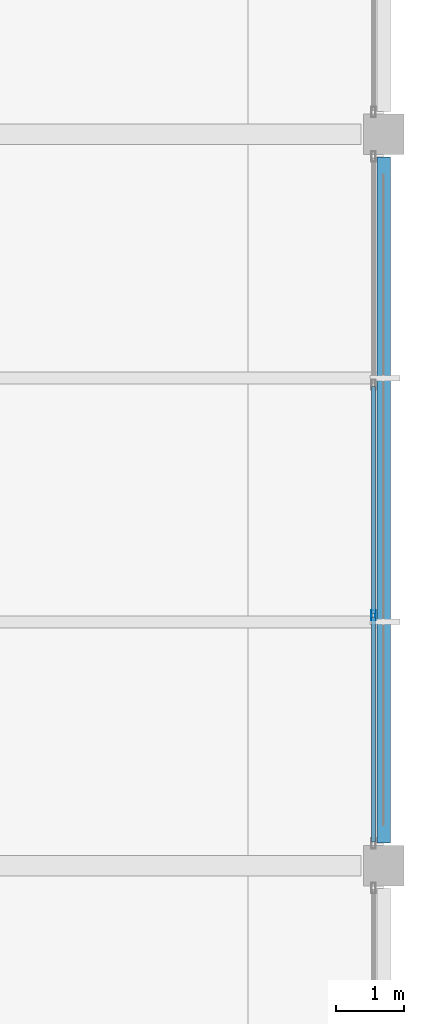
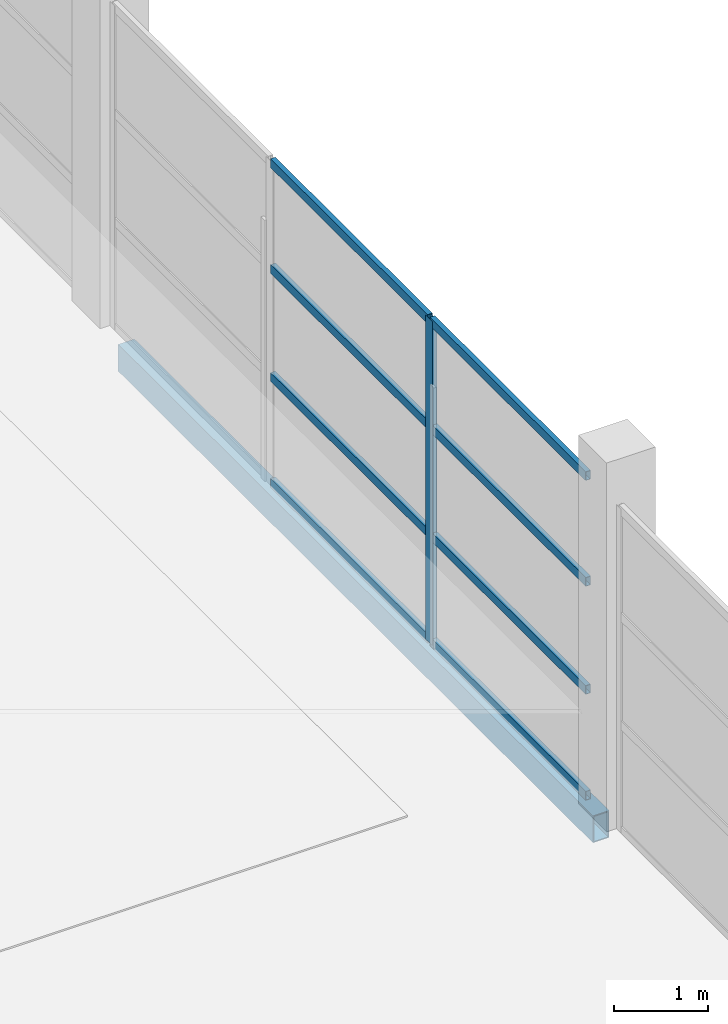
# One storey, part 99 of 134: 9 members, 1 beam, 1 element without a shape of its own.
"""IFC4 building model written with IfcOpenShell, lengths in metres."""

from ifc_helpers import new_model, si_unit, direction, frame, origin, origin_2d, place, context, subcontext, project, spatial, hollow_rectangle, extrude, material, layer, layer_set, material_profile, profile_set, type_object, element, aggregate, save


model = new_model("IFC4")

# Units and contexts
model_context = context("Model", 3, precision=1e-05, world=origin(), true_north=direction((0.0, 1.0)))
body_context = subcontext(model_context, "Body", "Model", "MODEL_VIEW")
ifc_project = project(units=[si_unit("LENGTHUNIT", "METRE"), si_unit("AREAUNIT", "SQUARE_METRE"), si_unit("VOLUMEUNIT", "CUBIC_METRE"), si_unit("PLANEANGLEUNIT", "RADIAN"), si_unit("MASSUNIT", "GRAM", prefix="KILO")], contexts=[model_context])

# Site, building, storey
site_placement = place(None, origin())
site = spatial("IfcSite", under=ifc_project, at=site_placement, CompositionType="ELEMENT")
building_placement = place(site_placement, origin())
building = spatial("IfcBuilding", under=site, at=building_placement, Name="Tamarisk Ironworks Central Station", CompositionType="ELEMENT")
storey_placement = place(building_placement, frame((0.0, 0.0, 12.60009765625)))
storey = spatial("IfcBuildingStorey", under=building, at=storey_placement, Name="L02", CompositionType="ELEMENT", Elevation=12.60009765625)

# Beam
ifc_material_1 = material(Name="Structural steel S355J2", Category="steel")
ifc_material_profile_1 = material_profile(ifc_material_1, hollow_rectangle(XDim=0.199951171875, YDim=0.35009765625, WallThickness=0.012451171875, at=origin_2d()), Name="RHS 350x200x12.5")
ifc_profile_set_1 = profile_set([ifc_material_profile_1], Name="Structural steel S355J2")
beam_type = type_object("IfcBeamType", Name="BM-SP01", PredefinedType="SPANDREL", material=ifc_profile_set_1)
beam_placement = place(storey_placement, frame((180.0, 90.337890625, -0.425048828125), z_axis=(0.0, 1.0, 0.0), x_axis=(-1.0, 0.0, 0.0)))
element("IfcBeam", 1, at=beam_placement, inside=storey, type_object=beam_type, Name="L02 primary girder Y-0537", PredefinedType="SPANDREL", context=body_context, shape_type="SweptSolid", body=[
    extrude(hollow_rectangle(XDim=0.199951171875, YDim=0.35009765625, WallThickness=0.012451171875, at=origin_2d()), origin(), (0.0, 0.0, 1.0), 10.1240234375),
])

# Curtain wall, members
ifc_material_2 = material(Name="Anodized aluminium alloy 6063-T6", Category="aluminium")
ifc_layer = layer(ifc_material_2, 0.179931640625)
ifc_layer_set = layer_set([ifc_layer], Name="Anodized aluminium alloy 6063-T6")
curtain_wall_type = type_object("IfcCurtainWallType", Name="CW-17", PredefinedType="USERDEFINED", material=ifc_layer_set)
curtain_wall_placement = place(storey_placement, origin())
curtain_wall = element("IfcCurtainWall", 2, at=curtain_wall_placement, inside=storey, type_object=curtain_wall_type, Name="Operations L02 east facade curtain wall 090", ObjectType="GLAZED CURTAIN WALL", PredefinedType="USERDEFINED")
ifc_material_profile_2 = material_profile(ifc_material_2, hollow_rectangle(XDim=0.06005859375, YDim=0.14990234375, WallThickness=0.00341796875, at=origin_2d()), Name="ALUM 150x60")
ifc_profile_set_2 = profile_set([ifc_material_profile_2], Name="Anodized aluminium alloy 6063-T6")
member_type_1 = type_object("IfcMemberType", Name="CWM-03", PredefinedType="MULLION", material=ifc_profile_set_2)
member_1_placement = place(storey_placement, frame((179.85009765625, 93.69921875, 0.0), z_axis=(0.0, 0.0, 1.0), x_axis=(-1.0, 0.0, 0.0)))
member_1 = element("IfcMember", 3, at=member_1_placement, type_object=member_type_1, Name="CW17 mullion 2", PredefinedType="MULLION", context=body_context, shape_type="SweptSolid", body=[
    extrude(hollow_rectangle(XDim=0.06005859375, YDim=0.14990234375, WallThickness=0.00341796875, at=origin_2d()), origin(), (0.0, 0.0, 1.0), 4.219970703125),
])
ifc_material_profile_3 = material_profile(ifc_material_2, hollow_rectangle(XDim=0.06005859375, YDim=0.114990234375, WallThickness=0.00341796875, at=origin_2d()), Name="ALUM 115x60")
ifc_profile_set_3 = profile_set([ifc_material_profile_3], Name="Anodized aluminium alloy 6063-T6")
member_type_2 = type_object("IfcMemberType", Name="CWT-03", PredefinedType="USERDEFINED", material=ifc_profile_set_3)
member_2_placement = place(storey_placement, frame((179.85009765625, 90.35400390625, 0.02978515625), z_axis=(0.0, 1.0, 0.0), x_axis=(-1.0, 0.0, 0.0)))
member_2 = element("IfcMember", 4, at=member_2_placement, type_object=member_type_2, Name="CW17 transom 1.1", ObjectType="TRANSOM", PredefinedType="USERDEFINED", context=body_context, shape_type="SweptSolid", body=[
    extrude(hollow_rectangle(XDim=0.06005859375, YDim=0.114990234375, WallThickness=0.00341796875, at=origin_2d()), origin(), (0.0, 0.0, 1.0), 3.3193359375),
])
member_3_placement = place(storey_placement, frame((179.85009765625, 90.35400390625, 1.406494140625), z_axis=(0.0, 1.0, 0.0), x_axis=(-1.0, 0.0, 0.0)))
member_3 = element("IfcMember", 5, at=member_3_placement, type_object=member_type_2, Name="CW17 transom 1.2", ObjectType="TRANSOM", PredefinedType="USERDEFINED", context=body_context, shape_type="SweptSolid", body=[
    extrude(hollow_rectangle(XDim=0.06005859375, YDim=0.114990234375, WallThickness=0.00341796875, at=origin_2d()), origin(), (0.0, 0.0, 1.0), 3.3193359375),
])
member_4_placement = place(storey_placement, frame((179.85009765625, 90.35400390625, 2.813232421875), z_axis=(0.0, 1.0, 0.0), x_axis=(-1.0, 0.0, 0.0)))
member_4 = element("IfcMember", 6, at=member_4_placement, type_object=member_type_2, Name="CW17 transom 1.3", ObjectType="TRANSOM", PredefinedType="USERDEFINED", context=body_context, shape_type="SweptSolid", body=[
    extrude(hollow_rectangle(XDim=0.06005859375, YDim=0.114990234375, WallThickness=0.00341796875, at=origin_2d()), origin(), (0.0, 0.0, 1.0), 3.3193359375),
])
member_5_placement = place(storey_placement, frame((179.85009765625, 90.35400390625, 4.18994140625), z_axis=(0.0, 1.0, 0.0), x_axis=(-1.0, 0.0, 0.0)))
member_5 = element("IfcMember", 7, at=member_5_placement, type_object=member_type_2, Name="CW17 transom 1.4", ObjectType="TRANSOM", PredefinedType="USERDEFINED", context=body_context, shape_type="SweptSolid", body=[
    extrude(hollow_rectangle(XDim=0.06005859375, YDim=0.114990234375, WallThickness=0.00341796875, at=origin_2d()), origin(), (0.0, 0.0, 1.0), 3.3193359375),
])
member_6_placement = place(storey_placement, frame((179.85009765625, 93.725341796875, 0.02978515625), z_axis=(0.0, 1.0, 0.0), x_axis=(-1.0, 0.0, 0.0)))
member_6 = element("IfcMember", 8, at=member_6_placement, type_object=member_type_2, Name="CW17 transom 2.1", ObjectType="TRANSOM", PredefinedType="USERDEFINED", context=body_context, shape_type="SweptSolid", body=[
    extrude(hollow_rectangle(XDim=0.06005859375, YDim=0.114990234375, WallThickness=0.00341796875, at=origin_2d()), origin(), (0.0, 0.0, 1.0), 3.349365234375),
])
member_7_placement = place(storey_placement, frame((179.85009765625, 93.725341796875, 1.406494140625), z_axis=(0.0, 1.0, 0.0), x_axis=(-1.0, 0.0, 0.0)))
member_7 = element("IfcMember", 9, at=member_7_placement, type_object=member_type_2, Name="CW17 transom 2.2", ObjectType="TRANSOM", PredefinedType="USERDEFINED", context=body_context, shape_type="SweptSolid", body=[
    extrude(hollow_rectangle(XDim=0.06005859375, YDim=0.114990234375, WallThickness=0.00341796875, at=origin_2d()), origin(), (0.0, 0.0, 1.0), 3.349365234375),
])
member_8_placement = place(storey_placement, frame((179.85009765625, 93.725341796875, 2.813232421875), z_axis=(0.0, 1.0, 0.0), x_axis=(-1.0, 0.0, 0.0)))
member_8 = element("IfcMember", 10, at=member_8_placement, type_object=member_type_2, Name="CW17 transom 2.3", ObjectType="TRANSOM", PredefinedType="USERDEFINED", context=body_context, shape_type="SweptSolid", body=[
    extrude(hollow_rectangle(XDim=0.06005859375, YDim=0.114990234375, WallThickness=0.00341796875, at=origin_2d()), origin(), (0.0, 0.0, 1.0), 3.349365234375),
])
member_9_placement = place(storey_placement, frame((179.85009765625, 93.725341796875, 4.18994140625), z_axis=(0.0, 1.0, 0.0), x_axis=(-1.0, 0.0, 0.0)))
member_9 = element("IfcMember", 11, at=member_9_placement, type_object=member_type_2, Name="CW17 transom 2.4", ObjectType="TRANSOM", PredefinedType="USERDEFINED", context=body_context, shape_type="SweptSolid", body=[
    extrude(hollow_rectangle(XDim=0.06005859375, YDim=0.114990234375, WallThickness=0.00341796875, at=origin_2d()), origin(), (0.0, 0.0, 1.0), 3.349365234375),
])
aggregate(curtain_wall, [member_1, member_2, member_3, member_4, member_5, member_6, member_7, member_8, member_9])

save(model, "model.ifc")
